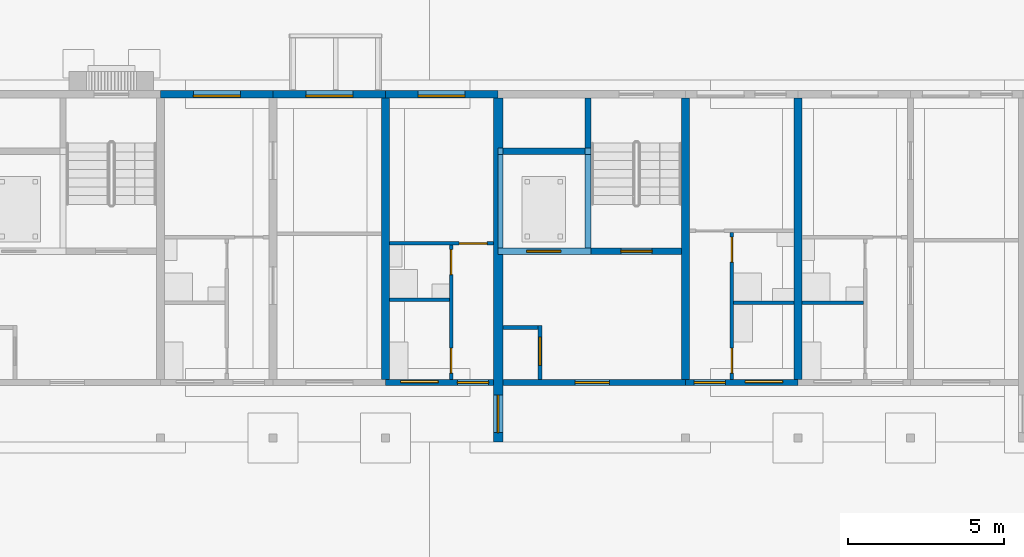
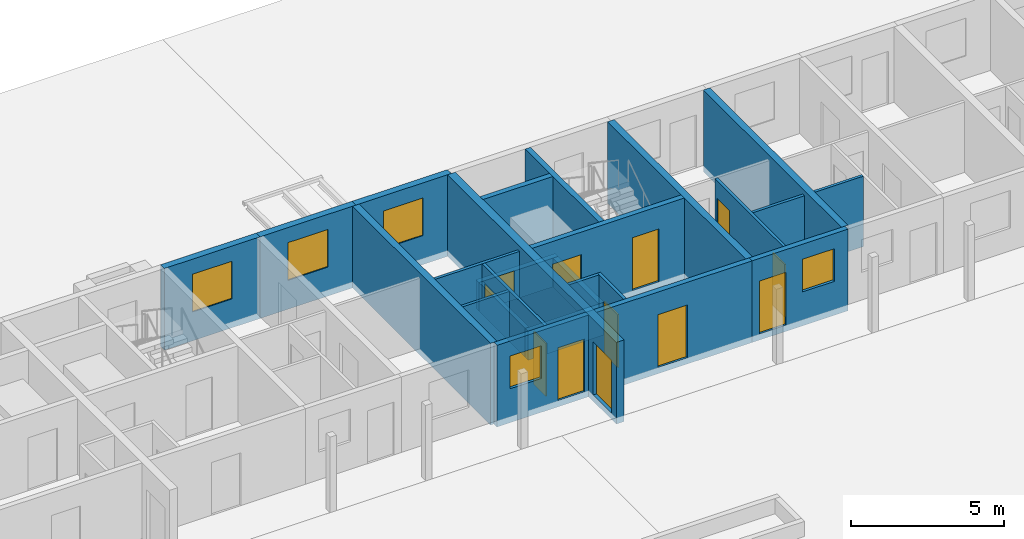
# One storey, part 67 of 112: 25 walls, 12 doors, 5 windows, 17 openings.
"""IFC4 building model written with IfcOpenShell, lengths in metres."""

from ifc_helpers import new_model, si_unit, direction, frame, frame_2d, origin, place, context, subcontext, project, spatial, rectangle, extrude, material, layer, layer_set, type_object, element, fill, save


model = new_model("IFC4")

# Units and contexts
model_context = context("Model", 3, precision=1e-05, world=origin(), true_north=direction((0.0, 1.0)))
body_context = subcontext(model_context, "Body", "Model", "MODEL_VIEW")
ifc_project = project(units=[si_unit("LENGTHUNIT", "METRE"), si_unit("AREAUNIT", "SQUARE_METRE"), si_unit("VOLUMEUNIT", "CUBIC_METRE"), si_unit("PLANEANGLEUNIT", "RADIAN"), si_unit("MASSUNIT", "GRAM", prefix="KILO")], contexts=[model_context])

# Site, building, storey
site_placement = place(None, origin())
site = spatial("IfcSite", under=ifc_project, at=site_placement, CompositionType="ELEMENT")
building_placement = place(site_placement, origin())
building = spatial("IfcBuilding", under=site, at=building_placement, Name="Ridgestep Commons", CompositionType="ELEMENT")
storey_placement = place(building_placement, origin())
storey = spatial("IfcBuildingStorey", under=building, at=storey_placement, Name="L00", CompositionType="ELEMENT", Elevation=0.0)

# Wall
ifc_material_1 = material(Name="Concrete C30/37", Category="concrete")
ifc_layer_1 = layer(ifc_material_1, 0.25)
ifc_layer_set_1 = layer_set([ifc_layer_1], Name="Core cross wall 250")
wall_type_1 = type_object("IfcWallType", Name="Core cross wall 250", PredefinedType="SHEAR", material=ifc_layer_set_1)
wall_1_placement = place(storey_placement, frame((203.199951171875, 68.0, -0.25), z_axis=(0.0, 0.0, 1.0), x_axis=(0.0, 1.0, 0.0)))
element("IfcWall", 1, at=wall_1_placement, inside=storey, type_object=wall_type_1, Name="Cross wall C-00-2032", PredefinedType="SHEAR", context=body_context, shape_type="SweptSolid", body=[
    extrude(rectangle(XDim=9.0, YDim=0.25, at=frame_2d((4.5, 0.0))), origin(), (0.0, 0.0, 1.0), 3.25),
])

# Wall, opening, door
ifc_material_2 = material(Name="Concrete C30/37", Category="concrete")
ifc_layer_2 = layer(ifc_material_2, 0.199951171875)
ifc_layer_set_2 = layer_set([ifc_layer_2], Name="Core south wall 200")
wall_type_2 = type_object("IfcWallType", Name="Core south wall 200", PredefinedType="SHEAR", material=ifc_layer_set_2)
wall_2_placement = place(storey_placement, frame((197.35009765625, 67.89990234375, -0.25), z_axis=(0.0, 0.0, 1.0), x_axis=(1.0, 0.0, 0.0)))
wall_2 = element("IfcWall", 2, at=wall_2_placement, inside=storey, type_object=wall_type_2, Name="Core south wall C4C L00", PredefinedType="SHEAR", context=body_context, shape_type="SweptSolid", body=[
    extrude(rectangle(XDim=5.849853515625, YDim=0.199951171875, at=frame_2d((2.9248046875, 0.0))), origin(), (0.0, 0.0, 1.0), 3.25),
])
opening_1_placement = place(wall_2_placement, frame((2.3125, 0.0, 0.25)))
opening_1 = element("IfcOpeningElement", 3, at=opening_1_placement, cuts=wall_2, Name="Opening C4C/00/1", PredefinedType="OPENING", context=body_context, shape_type="SweptSolid", body=[
    extrude(rectangle(XDim=1.10009765625, YDim=2.10009765625, at=frame_2d((0.550048828125, 1.050048828125))), frame((0.0, 0.10986328125, 0.0), z_axis=(0.0, -1.0, 0.0), x_axis=(1.0, 0.0, 0.0)), (0.0, 0.0, 1.0), 0.219970703125),
])
ifc_material_3 = material(Name="Steel fire door", Category="steel")
door_type_1 = type_object("IfcDoorType", Name="Lobby door 1100 x 2100 FD60", OperationType="NOTDEFINED", PredefinedType="DOOR", material=ifc_material_3)
door_1_placement = place(opening_1_placement, origin())
door_1 = element("IfcDoor", 4, at=door_1_placement, inside=storey, type_object=door_type_1, Name="Lobby door C4C/00/1", OperationType="SINGLE_SWING_LEFT", OverallHeight=2.10009765625, OverallWidth=1.10009765625, PredefinedType="DOOR", context=body_context, shape_type="SweptSolid", body=[
    extrude(rectangle(XDim=1.10009765625, YDim=2.10009765625, at=frame_2d((0.550048828125, 1.050048828125))), frame((0.0, 0.02490234375, 0.0), z_axis=(0.0, -1.0, 0.0), x_axis=(1.0, 0.0, 0.0)), (0.0, 0.0, 1.0), 0.050048828125),
])
fill(opening_1, door_1)

ifc_material_4 = material(Name="Concrete C30/37", Category="concrete")
ifc_layer_3 = layer(ifc_material_4, 0.1201171875)
ifc_layer_set_3 = layer_set([ifc_layer_3], Name="Core wall 120")
wall_type_3 = type_object("IfcWallType", Name="Core wall 120", PredefinedType="SHEAR", material=ifc_layer_set_3)
wall_3_placement = place(storey_placement, frame((198.5400390625, 68.0, -0.25), z_axis=(0.0, 0.0, 1.0), x_axis=(0.0, 1.0, 0.0)))
wall_3 = element("IfcWall", 5, at=wall_3_placement, inside=storey, type_object=wall_type_3, Name="Core riser w wall C4C L00", PredefinedType="SHEAR", context=body_context, shape_type="SweptSolid", body=[
    extrude(rectangle(XDim=1.719970703125, YDim=0.1201171875, at=frame_2d((0.85986328125, 0.0))), origin(), (0.0, 0.0, 1.0), 3.25),
])
opening_2_placement = place(wall_3_placement, frame((0.449951171875, 0.0, 0.25)))
opening_2 = element("IfcOpeningElement", 6, at=opening_2_placement, cuts=wall_3, Name="Opening C4C/00/4", PredefinedType="OPENING", context=body_context, shape_type="SweptSolid", body=[
    extrude(rectangle(XDim=0.89990234375, YDim=2.10009765625, at=frame_2d((0.449951171875, 1.050048828125))), frame((0.0, 0.070068359375, 0.0), z_axis=(0.0, -1.0, 0.0), x_axis=(1.0, 0.0, 0.0)), (0.0, 0.0, 1.0), 0.14013671875),
])
ifc_material_5 = material(Name="Steel fire door", Category="steel")
door_type_2 = type_object("IfcDoorType", Name="Riser door 900 x 2100 FD60", OperationType="NOTDEFINED", PredefinedType="DOOR", material=ifc_material_5)
door_2_placement = place(opening_2_placement, origin())
door_2 = element("IfcDoor", 7, at=door_2_placement, inside=storey, type_object=door_type_2, Name="Riser door C4C/00/4", OperationType="SINGLE_SWING_RIGHT", OverallHeight=2.10009765625, OverallWidth=0.89990234375, PredefinedType="DOOR", context=body_context, shape_type="SweptSolid", body=[
    extrude(rectangle(XDim=0.89990234375, YDim=2.10009765625, at=frame_2d((0.449951171875, 1.050048828125))), frame((0.0, 0.02490234375, 0.0), z_axis=(0.0, -1.0, 0.0), x_axis=(1.0, 0.0, 0.0)), (0.0, 0.0, 1.0), 0.050048828125),
])
fill(opening_2, door_2)

# Walls
wall_4_placement = place(storey_placement, frame((197.35009765625, 69.659912109375, -0.25), z_axis=(0.0, 0.0, 1.0), x_axis=(1.0, 0.0, 0.0)))
element("IfcWall", 8, at=wall_4_placement, inside=storey, type_object=wall_type_3, Name="Core riser n wall C4C L00", PredefinedType="SHEAR", context=body_context, shape_type="SweptSolid", body=[
    extrude(rectangle(XDim=1.1298828125, YDim=0.1201171875, at=frame_2d((0.56494140625, 0.0))), origin(), (0.0, 0.0, 1.0), 3.25),
])
ifc_material_6 = material(Name="Concrete C30/37", Category="concrete")
ifc_layer_4 = layer(ifc_material_6, 0.14990234375)
ifc_layer_set_4 = layer_set([ifc_layer_4], Name="Core wall 150")
wall_type_4 = type_object("IfcWallType", Name="Core wall 150", PredefinedType="SHEAR", material=ifc_layer_set_4)
wall_5_placement = place(storey_placement, frame((197.27490234375, 72.199951171875, -1.39990234375), z_axis=(0.0, 0.0, 1.0), x_axis=(0.0, 1.0, 0.0)))
element("IfcWall", 9, at=wall_5_placement, inside=storey, type_object=wall_type_4, Name="Lift pit wall C4C", PredefinedType="SHEAR", context=body_context, shape_type="SweptSolid", body=[
    extrude(rectangle(XDim=3.0, YDim=0.14990234375, at=frame_2d((1.5, 0.0))), origin(), (0.0, 0.0, 1.0), 1.14990234375),
])

# Wall, openings, doors
ifc_material_7 = material(Name="Concrete C30/37", Category="concrete")
ifc_layer_5 = layer(ifc_material_7, 0.199951171875)
ifc_layer_set_5 = layer_set([ifc_layer_5], Name="Core wall 200")
wall_type_5 = type_object("IfcWallType", Name="Core wall 200", PredefinedType="SHEAR", material=ifc_layer_set_5)
wall_6_placement = place(storey_placement, frame((197.35009765625, 72.10009765625, -0.25), z_axis=(0.0, 0.0, 1.0), x_axis=(1.0, 0.0, 0.0)))
wall_6 = element("IfcWall", 10, at=wall_6_placement, inside=storey, type_object=wall_type_5, Name="Core lobby wall C4C L00", PredefinedType="SHEAR", context=body_context, shape_type="SweptSolid", body=[
    extrude(rectangle(XDim=5.724853515625, YDim=0.199951171875, at=frame_2d((2.8623046875, 0.0))), origin(), (0.0, 0.0, 1.0), 3.25),
])
opening_3_placement = place(wall_6_placement, frame((3.77490234375, 0.0, 0.25)))
opening_3 = element("IfcOpeningElement", 11, at=opening_3_placement, cuts=wall_6, Name="Opening C4C/00/2", PredefinedType="OPENING", context=body_context, shape_type="SweptSolid", body=[
    extrude(rectangle(XDim=1.0, YDim=2.10009765625, at=frame_2d((0.5, 1.050048828125))), frame((0.0, 0.10986328125, 0.0), z_axis=(0.0, -1.0, 0.0), x_axis=(1.0, 0.0, 0.0)), (0.0, 0.0, 1.0), 0.219970703125),
])
opening_4_placement = place(wall_6_placement, frame((0.762451171875, 0.0, 0.25)))
opening_4 = element("IfcOpeningElement", 12, at=opening_4_placement, cuts=wall_6, Name="Opening C4C/00/3", PredefinedType="OPENING", context=body_context, shape_type="SweptSolid", body=[
    extrude(rectangle(XDim=1.10009765625, YDim=2.10009765625, at=frame_2d((0.550048828125, 1.050048828125))), frame((0.0, 0.10986328125, 0.0), z_axis=(0.0, -1.0, 0.0), x_axis=(1.0, 0.0, 0.0)), (0.0, 0.0, 1.0), 0.219970703125),
])
ifc_material_8 = material(Name="Stainless steel", Category="steel")
door_type_3 = type_object("IfcDoorType", Name="Lift landing door 1100 x 2100 FD60", OperationType="DOUBLE_DOOR_SLIDING", PredefinedType="DOOR", material=ifc_material_8)
door_3_placement = place(opening_4_placement, origin())
door_3 = element("IfcDoor", 13, at=door_3_placement, inside=storey, type_object=door_type_3, Name="Landing door LD C4C L00", OperationType="DOUBLE_DOOR_SLIDING", OverallHeight=2.10009765625, OverallWidth=1.10009765625, PredefinedType="DOOR", context=body_context, shape_type="SweptSolid", body=[
    extrude(rectangle(XDim=1.10009765625, YDim=2.10009765625, at=frame_2d((0.550048828125, 1.050048828125))), frame((0.0, 0.02490234375, 0.0), z_axis=(0.0, -1.0, 0.0), x_axis=(1.0, 0.0, 0.0)), (0.0, 0.0, 1.0), 0.050048828125),
])
fill(opening_4, door_3)
ifc_material_9 = material(Name="Steel fire door", Category="steel")
door_type_4 = type_object("IfcDoorType", Name="Stair door 1000 x 2100 FD60", OperationType="NOTDEFINED", PredefinedType="DOOR", material=ifc_material_9)
door_4_placement = place(opening_3_placement, origin())
door_4 = element("IfcDoor", 14, at=door_4_placement, inside=storey, type_object=door_type_4, Name="Stair door C4C/00/2", OperationType="SINGLE_SWING_RIGHT", OverallHeight=2.10009765625, OverallWidth=1.0, PredefinedType="DOOR", context=body_context, shape_type="SweptSolid", body=[
    extrude(rectangle(XDim=1.0, YDim=2.10009765625, at=frame_2d((0.5, 1.050048828125))), frame((0.0, 0.02490234375, 0.0), z_axis=(0.0, -1.0, 0.0), x_axis=(1.0, 0.0, 0.0)), (0.0, 0.0, 1.0), 0.050048828125),
])
fill(opening_3, door_4)

# Walls
wall_7_placement = place(storey_placement, frame((200.074951171875, 72.199951171875, -0.25), z_axis=(0.0, 0.0, 1.0), x_axis=(0.0, 1.0, 0.0)))
element("IfcWall", 15, at=wall_7_placement, inside=storey, type_object=wall_type_5, Name="Core stair wall C4C L00", PredefinedType="SHEAR", context=body_context, shape_type="SweptSolid", body=[
    extrude(rectangle(XDim=4.800048828125, YDim=0.199951171875, at=frame_2d((2.39990234375, 0.0))), origin(), (0.0, 0.0, 1.0), 3.25),
])
wall_8_placement = place(storey_placement, frame((197.35009765625, 75.300048828125, -0.25), z_axis=(0.0, 0.0, 1.0), x_axis=(1.0, 0.0, 0.0)))
element("IfcWall", 16, at=wall_8_placement, inside=storey, type_object=wall_type_5, Name="Core duct wall C4C L00", PredefinedType="SHEAR", context=body_context, shape_type="SweptSolid", body=[
    extrude(rectangle(XDim=2.625, YDim=0.199951171875, at=frame_2d((1.3125, 0.0))), origin(), (0.0, 0.0, 1.0), 3.25),
])
for number, where, z_axis, x_axis, name in (
    (17, (197.199951171875, 72.10009765625, -1.39990234375), (0.0, 0.0, 1.0), (1.0, 0.0, 0.0), "Lift pit wall C4C"),
    (18, (197.199951171875, 75.300048828125, -1.39990234375), (0.0, 0.0, 1.0), (1.0, 0.0, 0.0), "Lift pit wall C4C"),
):
    element("IfcWall", number, at=place(storey_placement, frame(where, z_axis=z_axis, x_axis=x_axis)), inside=storey, type_object=wall_type_5, Name=name, PredefinedType="SHEAR", context=body_context, shape_type="SweptSolid", body=[
        extrude(rectangle(XDim=2.97509765625, YDim=0.199951171875, at=frame_2d((1.487548828125, 0.0))), origin(), (0.0, 0.0, 1.0), 1.14990234375),
    ])
wall_9_placement = place(storey_placement, frame((200.074951171875, 72.199951171875, -1.39990234375), z_axis=(0.0, 0.0, 1.0), x_axis=(0.0, 1.0, 0.0)))
element("IfcWall", 19, at=wall_9_placement, inside=storey, type_object=wall_type_5, Name="Lift pit wall C4C", PredefinedType="SHEAR", context=body_context, shape_type="SweptSolid", body=[
    extrude(rectangle(XDim=3.0, YDim=0.199951171875, at=frame_2d((1.5, 0.0))), origin(), (0.0, 0.0, 1.0), 1.14990234375),
])
ifc_material_10 = material(Name="Precast concrete C40/50", Category="concrete")
ifc_layer_6 = layer(ifc_material_10, 0.25)
ifc_layer_set_6 = layer_set([ifc_layer_6], Name="Cross wall 250")
wall_type_6 = type_object("IfcWallType", Name="Cross wall 250", PredefinedType="SHEAR", material=ifc_layer_set_6)
for number, where, z_axis, x_axis, name in (
    (20, (193.60009765625, 68.0, -0.25), (0.0, 0.0, 1.0), (0.0, 1.0, 0.0), "Cross wall C-00-1936"),
    (21, (206.800048828125, 68.0, -0.25), (0.0, 0.0, 1.0), (0.0, 1.0, 0.0), "Cross wall C-00-2068"),
):
    element("IfcWall", number, at=place(storey_placement, frame(where, z_axis=z_axis, x_axis=x_axis)), inside=storey, type_object=wall_type_6, Name=name, PredefinedType="SHEAR", context=body_context, shape_type="SweptSolid", body=[
        extrude(rectangle(XDim=9.0, YDim=0.25, at=frame_2d((4.5, 0.0))), origin(), (0.0, 0.0, 1.0), 3.25),
    ])

# Wall, opening, door
ifc_material_11 = material(Name="Precast concrete C40/50", Category="concrete")
ifc_layer_7 = layer(ifc_material_11, 0.300048828125)
ifc_layer_set_7 = layer_set([ifc_layer_7], Name="Division wall 300")
wall_type_7 = type_object("IfcWallType", Name="Division wall 300", PredefinedType="SHEAR", material=ifc_layer_set_7)
wall_10_placement = place(storey_placement, frame((197.199951171875, 66.0, -0.25), z_axis=(0.0, 0.0, 1.0), x_axis=(0.0, 1.0, 0.0)))
wall_10 = element("IfcWall", 22, at=wall_10_placement, inside=storey, type_object=wall_type_7, Name="Cross wall C-00-1972", PredefinedType="SHEAR", context=body_context, shape_type="SweptSolid", body=[
    extrude(rectangle(XDim=11.0, YDim=0.300048828125, at=frame_2d((5.5, 0.0))), origin(), (0.0, 0.0, 1.0), 3.25),
])
opening_5_placement = place(wall_10_placement, frame((0.300048828125, 0.0, 0.25)))
opening_5 = element("IfcOpeningElement", 23, at=opening_5_placement, cuts=wall_10, Name="Opening C/00/G1972", PredefinedType="OPENING", context=body_context, shape_type="SweptSolid", body=[
    extrude(rectangle(XDim=1.199951171875, YDim=2.10009765625, at=frame_2d((0.60009765625, 1.050048828125))), frame((0.0, 0.159912109375, 0.0), z_axis=(0.0, -1.0, 0.0), x_axis=(1.0, 0.0, 0.0)), (0.0, 0.0, 1.0), 0.320068359375),
])
ifc_material_12 = material(Name="Steel fire door", Category="steel")
door_type_5 = type_object("IfcDoorType", Name="Division fire door 1200 x 2100 EI 240", OperationType="DOUBLE_DOOR_SINGLE_SWING", PredefinedType="DOOR", material=ifc_material_12)
door_5_placement = place(opening_5_placement, origin())
door_5 = element("IfcDoor", 24, at=door_5_placement, inside=storey, type_object=door_type_5, Name="Division fire door C/00/G1972", OperationType="DOUBLE_DOOR_SINGLE_SWING", OverallHeight=2.10009765625, OverallWidth=1.199951171875, PredefinedType="DOOR", context=body_context, shape_type="SweptSolid", body=[
    extrude(rectangle(XDim=1.199951171875, YDim=2.10009765625, at=frame_2d((0.60009765625, 1.050048828125))), frame((0.0, 0.02490234375, 0.0), z_axis=(0.0, -1.0, 0.0), x_axis=(1.0, 0.0, 0.0)), (0.0, 0.0, 1.0), 0.050048828125),
])
fill(opening_5, door_5)

# Wall, opening, window
ifc_material_13 = material(Name="Precast concrete C40/50", Category="concrete")
ifc_layer_8 = layer(ifc_material_13, 0.25)
ifc_layer_set_8 = layer_set([ifc_layer_8], Name="North facade panel 250")
wall_type_8 = type_object("IfcWallType", Name="North facade panel 250", PredefinedType="SOLIDWALL", material=ifc_layer_set_8)
wall_11_placement = place(storey_placement, frame((186.39990234375, 77.125, -0.25), z_axis=(0.0, 0.0, 1.0), x_axis=(1.0, 0.0, 0.0)))
wall_11 = element("IfcWall", 25, at=wall_11_placement, inside=storey, type_object=wall_type_8, Name="North panel C3T3 L00", PredefinedType="SOLIDWALL", context=body_context, shape_type="SweptSolid", body=[
    extrude(rectangle(XDim=3.60009765625, YDim=0.25, at=frame_2d((1.800048828125, 0.0))), origin(), (0.0, 0.0, 1.0), 3.25),
])
opening_6_placement = place(wall_11_placement, frame((1.050048828125, 0.0, 1.14990234375)))
opening_6 = element("IfcOpeningElement", 26, at=opening_6_placement, cuts=wall_11, Name="Opening W16", PredefinedType="OPENING", context=body_context, shape_type="SweptSolid", body=[
    extrude(rectangle(XDim=1.5, YDim=1.5, at=frame_2d((0.75, 0.75))), frame((0.0, 0.135009765625, 0.0), z_axis=(0.0, -1.0, 0.0), x_axis=(1.0, 0.0, 0.0)), (0.0, 0.0, 1.0), 0.27001953125),
])
ifc_material_14 = material(Name="Aluminium 6063-T6 and glass", Category="aluminium")
window_type_1 = type_object("IfcWindowType", Name="Flat window 1500 x 1500", PartitioningType="DOUBLE_PANEL_VERTICAL", PredefinedType="WINDOW", material=ifc_material_14)
window_1_placement = place(opening_6_placement, origin())
window_1 = element("IfcWindow", 27, at=window_1_placement, inside=storey, type_object=window_type_1, Name="Window C3-00b 4", OverallHeight=1.5, OverallWidth=1.5, PartitioningType="SINGLE_PANEL", PredefinedType="WINDOW", context=body_context, shape_type="SweptSolid", body=[
    extrude(rectangle(XDim=1.5, YDim=1.5, at=frame_2d((0.75, 0.75))), frame((0.0, -0.02490234375, 0.0), z_axis=(0.0, -1.0, 0.0), x_axis=(1.0, 0.0, 0.0)), (0.0, 0.0, 1.0), 0.06005859375),
])
fill(opening_6, window_1)

wall_12_placement = place(storey_placement, frame((190.0, 77.125, -0.25), z_axis=(0.0, 0.0, 1.0), x_axis=(1.0, 0.0, 0.0)))
wall_12 = element("IfcWall", 28, at=wall_12_placement, inside=storey, type_object=wall_type_8, Name="North panel C3T2 L00", PredefinedType="SOLIDWALL", context=body_context, shape_type="SweptSolid", body=[
    extrude(rectangle(XDim=3.60009765625, YDim=0.25, at=frame_2d((1.800048828125, 0.0))), origin(), (0.0, 0.0, 1.0), 3.25),
])
opening_7_placement = place(wall_12_placement, frame((1.050048828125, 0.0, 1.14990234375)))
opening_7 = element("IfcOpeningElement", 29, at=opening_7_placement, cuts=wall_12, Name="Opening W16", PredefinedType="OPENING", context=body_context, shape_type="SweptSolid", body=[
    extrude(rectangle(XDim=1.5, YDim=1.5, at=frame_2d((0.75, 0.75))), frame((0.0, 0.135009765625, 0.0), z_axis=(0.0, -1.0, 0.0), x_axis=(1.0, 0.0, 0.0)), (0.0, 0.0, 1.0), 0.27001953125),
])
window_2_placement = place(opening_7_placement, origin())
window_2 = element("IfcWindow", 30, at=window_2_placement, inside=storey, type_object=window_type_1, Name="Window C3-00b 2", OverallHeight=1.5, OverallWidth=1.5, PartitioningType="SINGLE_PANEL", PredefinedType="WINDOW", context=body_context, shape_type="SweptSolid", body=[
    extrude(rectangle(XDim=1.5, YDim=1.5, at=frame_2d((0.75, 0.75))), frame((0.0, -0.02490234375, 0.0), z_axis=(0.0, -1.0, 0.0), x_axis=(1.0, 0.0, 0.0)), (0.0, 0.0, 1.0), 0.06005859375),
])
fill(opening_7, window_2)

wall_13_placement = place(storey_placement, frame((193.60009765625, 77.125, -0.25), z_axis=(0.0, 0.0, 1.0), x_axis=(1.0, 0.0, 0.0)))
wall_13 = element("IfcWall", 31, at=wall_13_placement, inside=storey, type_object=wall_type_8, Name="North panel C3T1 L00", PredefinedType="SOLIDWALL", context=body_context, shape_type="SweptSolid", body=[
    extrude(rectangle(XDim=3.599853515625, YDim=0.25, at=frame_2d((1.7998046875, 0.0))), origin(), (0.0, 0.0, 1.0), 3.25),
])
opening_8_placement = place(wall_13_placement, frame((1.03759765625, 0.0, 1.14990234375)))
opening_8 = element("IfcOpeningElement", 32, at=opening_8_placement, cuts=wall_13, Name="Opening W16", PredefinedType="OPENING", context=body_context, shape_type="SweptSolid", body=[
    extrude(rectangle(XDim=1.5, YDim=1.5, at=frame_2d((0.75, 0.75))), frame((0.0, 0.135009765625, 0.0), z_axis=(0.0, -1.0, 0.0), x_axis=(1.0, 0.0, 0.0)), (0.0, 0.0, 1.0), 0.27001953125),
])
window_3_placement = place(opening_8_placement, origin())
window_3 = element("IfcWindow", 33, at=window_3_placement, inside=storey, type_object=window_type_1, Name="Window C3-00a 2", OverallHeight=1.5, OverallWidth=1.5, PartitioningType="SINGLE_PANEL", PredefinedType="WINDOW", context=body_context, shape_type="SweptSolid", body=[
    extrude(rectangle(XDim=1.5, YDim=1.5, at=frame_2d((0.75, 0.75))), frame((0.0, -0.02490234375, 0.0), z_axis=(0.0, -1.0, 0.0), x_axis=(1.0, 0.0, 0.0)), (0.0, 0.0, 1.0), 0.06005859375),
])
fill(opening_8, window_3)

# Wall
ifc_material_15 = material(Name="Common brick 110 mm", Category="masonry")
ifc_layer_9 = layer(ifc_material_15, 0.110107421875)
ifc_layer_set_9 = layer_set([ifc_layer_9], Name="Partition 110")
wall_type_9 = type_object("IfcWallType", Name="Partition 110", PredefinedType="PARTITIONING", material=ifc_layer_set_9)
wall_14_placement = place(storey_placement, frame((193.72509765625, 70.554931640625, 0.0), z_axis=(0.0, 0.0, 1.0), x_axis=(1.0, 0.0, 0.0)))
element("IfcWall", 34, at=wall_14_placement, inside=storey, type_object=wall_type_9, Name="Partition C3-00a", PredefinedType="PARTITIONING", context=body_context, shape_type="SweptSolid", body=[
    extrude(rectangle(XDim=1.914794921875, YDim=0.110107421875, at=frame_2d((0.95751953125, 0.0))), origin(), (0.0, 0.0, 1.0), 2.800048828125),
])

# Wall, openings, doors
wall_15_placement = place(storey_placement, frame((195.695068359375, 68.0, 0.0), z_axis=(0.0, 0.0, 1.0), x_axis=(0.0, 1.0, 0.0)))
wall_15 = element("IfcWall", 35, at=wall_15_placement, inside=storey, type_object=wall_type_9, Name="Partition C3-00a", PredefinedType="PARTITIONING", context=body_context, shape_type="SweptSolid", body=[
    extrude(rectangle(XDim=4.300048828125, YDim=0.110107421875, at=frame_2d((2.14990234375, 0.0))), origin(), (0.0, 0.0, 1.0), 2.800048828125),
])
opening_9_placement = place(wall_15_placement, frame((0.199951171875, 0.0, 0.0)))
opening_9 = element("IfcOpeningElement", 36, at=opening_9_placement, cuts=wall_15, Name="Opening C3-00a/2", PredefinedType="OPENING", context=body_context, shape_type="SweptSolid", body=[
    extrude(rectangle(XDim=0.800048828125, YDim=2.10009765625, at=frame_2d((0.39990234375, 1.050048828125))), frame((0.0, 0.06494140625, 0.0), z_axis=(0.0, -1.0, 0.0), x_axis=(1.0, 0.0, 0.0)), (0.0, 0.0, 1.0), 0.130126953125),
])
opening_10_placement = place(wall_15_placement, frame((3.35009765625, 0.0, 0.0)))
opening_10 = element("IfcOpeningElement", 37, at=opening_10_placement, cuts=wall_15, Name="Opening C3-00a/3", PredefinedType="OPENING", context=body_context, shape_type="SweptSolid", body=[
    extrude(rectangle(XDim=0.800048828125, YDim=2.10009765625, at=frame_2d((0.39990234375, 1.050048828125))), frame((0.0, 0.06494140625, 0.0), z_axis=(0.0, -1.0, 0.0), x_axis=(1.0, 0.0, 0.0)), (0.0, 0.0, 1.0), 0.130126953125),
])
ifc_material_16 = material(Name="Timber door leaf", Category="wood")
door_type_6 = type_object("IfcDoorType", Name="Internal door 800 x 2100", OperationType="NOTDEFINED", PredefinedType="DOOR", material=ifc_material_16)
door_6_placement = place(opening_9_placement, origin())
door_6 = element("IfcDoor", 38, at=door_6_placement, inside=storey, type_object=door_type_6, Name="Internal door C3-00a/2", OperationType="SINGLE_SWING_LEFT", OverallHeight=2.10009765625, OverallWidth=0.800048828125, PredefinedType="DOOR", context=body_context, shape_type="SweptSolid", body=[
    extrude(rectangle(XDim=0.800048828125, YDim=2.10009765625, at=frame_2d((0.39990234375, 1.050048828125))), frame((0.0, 0.02490234375, 0.0), z_axis=(0.0, -1.0, 0.0), x_axis=(1.0, 0.0, 0.0)), (0.0, 0.0, 1.0), 0.050048828125),
])
fill(opening_9, door_6)
door_7_placement = place(opening_10_placement, origin())
door_7 = element("IfcDoor", 39, at=door_7_placement, inside=storey, type_object=door_type_6, Name="Internal door C3-00a/3", OperationType="SINGLE_SWING_RIGHT", OverallHeight=2.10009765625, OverallWidth=0.800048828125, PredefinedType="DOOR", context=body_context, shape_type="SweptSolid", body=[
    extrude(rectangle(XDim=0.800048828125, YDim=2.10009765625, at=frame_2d((0.39990234375, 1.050048828125))), frame((0.0, 0.02490234375, 0.0), z_axis=(0.0, -1.0, 0.0), x_axis=(1.0, 0.0, 0.0)), (0.0, 0.0, 1.0), 0.050048828125),
])
fill(opening_10, door_7)

# Wall, opening, door
wall_16_placement = place(storey_placement, frame((193.72509765625, 72.35498046875, 0.0), z_axis=(0.0, 0.0, 1.0), x_axis=(1.0, 0.0, 0.0)))
wall_16 = element("IfcWall", 40, at=wall_16_placement, inside=storey, type_object=wall_type_9, Name="Partition C3-00a", PredefinedType="PARTITIONING", context=body_context, shape_type="SweptSolid", body=[
    extrude(rectangle(XDim=3.324951171875, YDim=0.110107421875, at=frame_2d((1.66259765625, 0.0))), origin(), (0.0, 0.0, 1.0), 2.800048828125),
])
opening_11_placement = place(wall_16_placement, frame((2.22509765625, 0.0, 0.0)))
opening_11 = element("IfcOpeningElement", 41, at=opening_11_placement, cuts=wall_16, Name="Opening C3-00a/4", PredefinedType="OPENING", context=body_context, shape_type="SweptSolid", body=[
    extrude(rectangle(XDim=0.89990234375, YDim=2.10009765625, at=frame_2d((0.449951171875, 1.050048828125))), frame((0.0, 0.06494140625, 0.0), z_axis=(0.0, -1.0, 0.0), x_axis=(1.0, 0.0, 0.0)), (0.0, 0.0, 1.0), 0.130126953125),
])
ifc_material_17 = material(Name="Timber door leaf", Category="wood")
door_type_7 = type_object("IfcDoorType", Name="Internal door 900 x 2100", OperationType="NOTDEFINED", PredefinedType="DOOR", material=ifc_material_17)
door_8_placement = place(opening_11_placement, origin())
door_8 = element("IfcDoor", 42, at=door_8_placement, inside=storey, type_object=door_type_7, Name="Internal door C3-00a/4", OperationType="SINGLE_SWING_LEFT", OverallHeight=2.10009765625, OverallWidth=0.89990234375, PredefinedType="DOOR", context=body_context, shape_type="SweptSolid", body=[
    extrude(rectangle(XDim=0.89990234375, YDim=2.10009765625, at=frame_2d((0.449951171875, 1.050048828125))), frame((0.0, 0.02490234375, 0.0), z_axis=(0.0, -1.0, 0.0), x_axis=(1.0, 0.0, 0.0)), (0.0, 0.0, 1.0), 0.050048828125),
])
fill(opening_11, door_8)

# Wall
wall_17_placement = place(storey_placement, frame((206.925048828125, 70.455078125, 0.0), z_axis=(0.0, 0.0, 1.0), x_axis=(1.0, 0.0, 0.0)))
element("IfcWall", 43, at=wall_17_placement, inside=storey, type_object=wall_type_9, Name="Partition C4-00a", PredefinedType="PARTITIONING", context=body_context, shape_type="SweptSolid", body=[
    extrude(rectangle(XDim=1.96484375, YDim=0.110107421875, at=frame_2d((0.982421875, 0.0))), origin(), (0.0, 0.0, 1.0), 2.800048828125),
])

# Wall, openings, doors
wall_18_placement = place(storey_placement, frame((204.679931640625, 68.0, 0.0), z_axis=(0.0, 0.0, 1.0), x_axis=(0.0, 1.0, 0.0)))
wall_18 = element("IfcWall", 44, at=wall_18_placement, inside=storey, type_object=wall_type_9, Name="Partition C4-00b", PredefinedType="PARTITIONING", context=body_context, shape_type="SweptSolid", body=[
    extrude(rectangle(XDim=4.699951171875, YDim=0.110107421875, at=frame_2d((2.35009765625, 0.0))), origin(), (0.0, 0.0, 1.0), 2.800048828125),
])
opening_12_placement = place(wall_18_placement, frame((0.199951171875, 0.0, 0.0)))
opening_12 = element("IfcOpeningElement", 45, at=opening_12_placement, cuts=wall_18, Name="Opening C4-00b/2", PredefinedType="OPENING", context=body_context, shape_type="SweptSolid", body=[
    extrude(rectangle(XDim=0.800048828125, YDim=2.10009765625, at=frame_2d((0.39990234375, 1.050048828125))), frame((0.0, 0.06494140625, 0.0), z_axis=(0.0, -1.0, 0.0), x_axis=(1.0, 0.0, 0.0)), (0.0, 0.0, 1.0), 0.130126953125),
])
opening_13_placement = place(wall_18_placement, frame((3.75, 0.0, 0.0)))
opening_13 = element("IfcOpeningElement", 46, at=opening_13_placement, cuts=wall_18, Name="Opening C4-00b/3", PredefinedType="OPENING", context=body_context, shape_type="SweptSolid", body=[
    extrude(rectangle(XDim=0.800048828125, YDim=2.10009765625, at=frame_2d((0.39990234375, 1.050048828125))), frame((0.0, 0.06494140625, 0.0), z_axis=(0.0, -1.0, 0.0), x_axis=(1.0, 0.0, 0.0)), (0.0, 0.0, 1.0), 0.130126953125),
])
door_9_placement = place(opening_12_placement, origin())
door_9 = element("IfcDoor", 47, at=door_9_placement, inside=storey, type_object=door_type_6, Name="Internal door C4-00b/2", OperationType="SINGLE_SWING_RIGHT", OverallHeight=2.10009765625, OverallWidth=0.800048828125, PredefinedType="DOOR", context=body_context, shape_type="SweptSolid", body=[
    extrude(rectangle(XDim=0.800048828125, YDim=2.10009765625, at=frame_2d((0.39990234375, 1.050048828125))), frame((0.0, 0.02490234375, 0.0), z_axis=(0.0, -1.0, 0.0), x_axis=(1.0, 0.0, 0.0)), (0.0, 0.0, 1.0), 0.050048828125),
])
fill(opening_12, door_9)
door_10_placement = place(opening_13_placement, origin())
door_10 = element("IfcDoor", 48, at=door_10_placement, inside=storey, type_object=door_type_6, Name="Internal door C4-00b/3", OperationType="SINGLE_SWING_LEFT", OverallHeight=2.10009765625, OverallWidth=0.800048828125, PredefinedType="DOOR", context=body_context, shape_type="SweptSolid", body=[
    extrude(rectangle(XDim=0.800048828125, YDim=2.10009765625, at=frame_2d((0.39990234375, 1.050048828125))), frame((0.0, 0.02490234375, 0.0), z_axis=(0.0, -1.0, 0.0), x_axis=(1.0, 0.0, 0.0)), (0.0, 0.0, 1.0), 0.050048828125),
])
fill(opening_13, door_10)

# Wall
wall_19_placement = place(storey_placement, frame((204.735107421875, 70.455078125, 0.0), z_axis=(0.0, 0.0, 1.0), x_axis=(1.0, 0.0, 0.0)))
element("IfcWall", 49, at=wall_19_placement, inside=storey, type_object=wall_type_9, Name="Partition C4-00b", PredefinedType="PARTITIONING", context=body_context, shape_type="SweptSolid", body=[
    extrude(rectangle(XDim=1.93994140625, YDim=0.110107421875, at=frame_2d((0.969970703125, 0.0))), origin(), (0.0, 0.0, 1.0), 2.800048828125),
])

# Wall, openings, door, window
ifc_material_18 = material(Name="Precast concrete C40/50", Category="concrete")
ifc_layer_10 = layer(ifc_material_18, 0.199951171875)
ifc_layer_set_10 = layer_set([ifc_layer_10], Name="South facade panel 200")
wall_type_10 = type_object("IfcWallType", Name="South facade panel 200", PredefinedType="SOLIDWALL", material=ifc_layer_set_10)
wall_20_placement = place(storey_placement, frame((193.60009765625, 67.89990234375, -0.25), z_axis=(0.0, 0.0, 1.0), x_axis=(1.0, 0.0, 0.0)))
wall_20 = element("IfcWall", 50, at=wall_20_placement, inside=storey, type_object=wall_type_10, Name="South panel C3T1 L00", PredefinedType="SOLIDWALL", context=body_context, shape_type="SweptSolid", body=[
    extrude(rectangle(XDim=3.449951171875, YDim=0.199951171875, at=frame_2d((1.72509765625, 0.0))), origin(), (0.0, 0.0, 1.0), 3.25),
])
opening_14_placement = place(wall_20_placement, frame((0.482421875, 0.0, 1.35009765625)))
opening_14 = element("IfcOpeningElement", 51, at=opening_14_placement, cuts=wall_20, Name="Opening W08", PredefinedType="OPENING", context=body_context, shape_type="SweptSolid", body=[
    extrude(rectangle(XDim=1.199951171875, YDim=1.300048828125, at=frame_2d((0.60009765625, 0.64990234375))), frame((0.0, 0.10986328125, 0.0), z_axis=(0.0, -1.0, 0.0), x_axis=(1.0, 0.0, 0.0)), (0.0, 0.0, 1.0), 0.219970703125),
])
opening_15_placement = place(wall_20_placement, frame((2.300048828125, 0.0, 0.25)))
opening_15 = element("IfcOpeningElement", 52, at=opening_15_placement, cuts=wall_20, Name="Opening C3-00a/1", PredefinedType="OPENING", context=body_context, shape_type="SweptSolid", body=[
    extrude(rectangle(XDim=1.0, YDim=2.10009765625, at=frame_2d((0.5, 1.050048828125))), frame((0.0, 0.10986328125, 0.0), z_axis=(0.0, -1.0, 0.0), x_axis=(1.0, 0.0, 0.0)), (0.0, 0.0, 1.0), 0.219970703125),
])
ifc_material_19 = material(Name="Timber door leaf", Category="wood")
door_type_8 = type_object("IfcDoorType", Name="Flat entrance door 1000 x 2100 FD30S", OperationType="NOTDEFINED", PredefinedType="DOOR", material=ifc_material_19)
door_11_placement = place(opening_15_placement, origin())
door_11 = element("IfcDoor", 53, at=door_11_placement, inside=storey, type_object=door_type_8, Name="Flat entrance door C3-00a/1", OperationType="SINGLE_SWING_RIGHT", OverallHeight=2.10009765625, OverallWidth=1.0, PredefinedType="DOOR", context=body_context, shape_type="SweptSolid", body=[
    extrude(rectangle(XDim=1.0, YDim=2.10009765625, at=frame_2d((0.5, 1.050048828125))), frame((0.0, 0.02490234375, 0.0), z_axis=(0.0, -1.0, 0.0), x_axis=(1.0, 0.0, 0.0)), (0.0, 0.0, 1.0), 0.050048828125),
])
fill(opening_15, door_11)
ifc_material_20 = material(Name="Aluminium 6063-T6 and glass", Category="aluminium")
window_type_2 = type_object("IfcWindowType", Name="Flat window 1200 x 1300", PartitioningType="SINGLE_PANEL", PredefinedType="WINDOW", material=ifc_material_20)
window_4_placement = place(opening_14_placement, origin())
window_4 = element("IfcWindow", 54, at=window_4_placement, inside=storey, type_object=window_type_2, Name="Window C3-00a 1", OverallHeight=1.300048828125, OverallWidth=1.199951171875, PartitioningType="SINGLE_PANEL", PredefinedType="WINDOW", context=body_context, shape_type="SweptSolid", body=[
    extrude(rectangle(XDim=1.199951171875, YDim=1.300048828125, at=frame_2d((0.60009765625, 0.64990234375))), frame((0.0, 0.06005859375, 0.0), z_axis=(0.0, -1.0, 0.0), x_axis=(1.0, 0.0, 0.0)), (0.0, 0.0, 1.0), 0.06005859375),
])
fill(opening_14, window_4)

wall_21_placement = place(storey_placement, frame((203.199951171875, 67.89990234375, -0.25), z_axis=(0.0, 0.0, 1.0), x_axis=(1.0, 0.0, 0.0)))
wall_21 = element("IfcWall", 55, at=wall_21_placement, inside=storey, type_object=wall_type_10, Name="South panel C4T3 L00", PredefinedType="SOLIDWALL", context=body_context, shape_type="SweptSolid", body=[
    extrude(rectangle(XDim=3.60009765625, YDim=0.199951171875, at=frame_2d((1.800048828125, 0.0))), origin(), (0.0, 0.0, 1.0), 3.25),
])
opening_16_placement = place(wall_21_placement, frame((1.905029296875, 0.0, 1.35009765625)))
opening_16 = element("IfcOpeningElement", 56, at=opening_16_placement, cuts=wall_21, Name="Opening W08", PredefinedType="OPENING", context=body_context, shape_type="SweptSolid", body=[
    extrude(rectangle(XDim=1.199951171875, YDim=1.300048828125, at=frame_2d((0.60009765625, 0.64990234375))), frame((0.0, 0.10986328125, 0.0), z_axis=(0.0, -1.0, 0.0), x_axis=(1.0, 0.0, 0.0)), (0.0, 0.0, 1.0), 0.219970703125),
])
opening_17_placement = place(wall_21_placement, frame((0.27490234375, 0.0, 0.25)))
opening_17 = element("IfcOpeningElement", 57, at=opening_17_placement, cuts=wall_21, Name="Opening C4-00b/1", PredefinedType="OPENING", context=body_context, shape_type="SweptSolid", body=[
    extrude(rectangle(XDim=1.0, YDim=2.10009765625, at=frame_2d((0.5, 1.050048828125))), frame((0.0, 0.10986328125, 0.0), z_axis=(0.0, -1.0, 0.0), x_axis=(1.0, 0.0, 0.0)), (0.0, 0.0, 1.0), 0.219970703125),
])
door_12_placement = place(opening_17_placement, origin())
door_12 = element("IfcDoor", 58, at=door_12_placement, inside=storey, type_object=door_type_8, Name="Flat entrance door C4-00b/1", OperationType="SINGLE_SWING_LEFT", OverallHeight=2.10009765625, OverallWidth=1.0, PredefinedType="DOOR", context=body_context, shape_type="SweptSolid", body=[
    extrude(rectangle(XDim=1.0, YDim=2.10009765625, at=frame_2d((0.5, 1.050048828125))), frame((0.0, 0.02490234375, 0.0), z_axis=(0.0, -1.0, 0.0), x_axis=(1.0, 0.0, 0.0)), (0.0, 0.0, 1.0), 0.050048828125),
])
fill(opening_17, door_12)
window_5_placement = place(opening_16_placement, origin())
window_5 = element("IfcWindow", 59, at=window_5_placement, inside=storey, type_object=window_type_2, Name="Window C4-00b 1", OverallHeight=1.300048828125, OverallWidth=1.199951171875, PartitioningType="SINGLE_PANEL", PredefinedType="WINDOW", context=body_context, shape_type="SweptSolid", body=[
    extrude(rectangle(XDim=1.199951171875, YDim=1.300048828125, at=frame_2d((0.60009765625, 0.64990234375))), frame((0.0, 0.06005859375, 0.0), z_axis=(0.0, -1.0, 0.0), x_axis=(1.0, 0.0, 0.0)), (0.0, 0.0, 1.0), 0.06005859375),
])
fill(opening_16, window_5)

save(model, "model.ifc")
